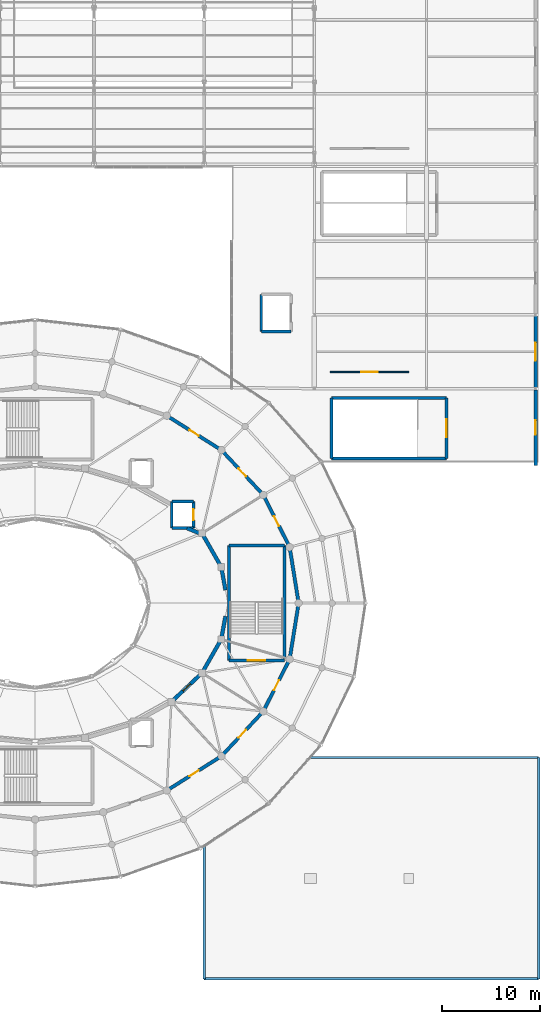
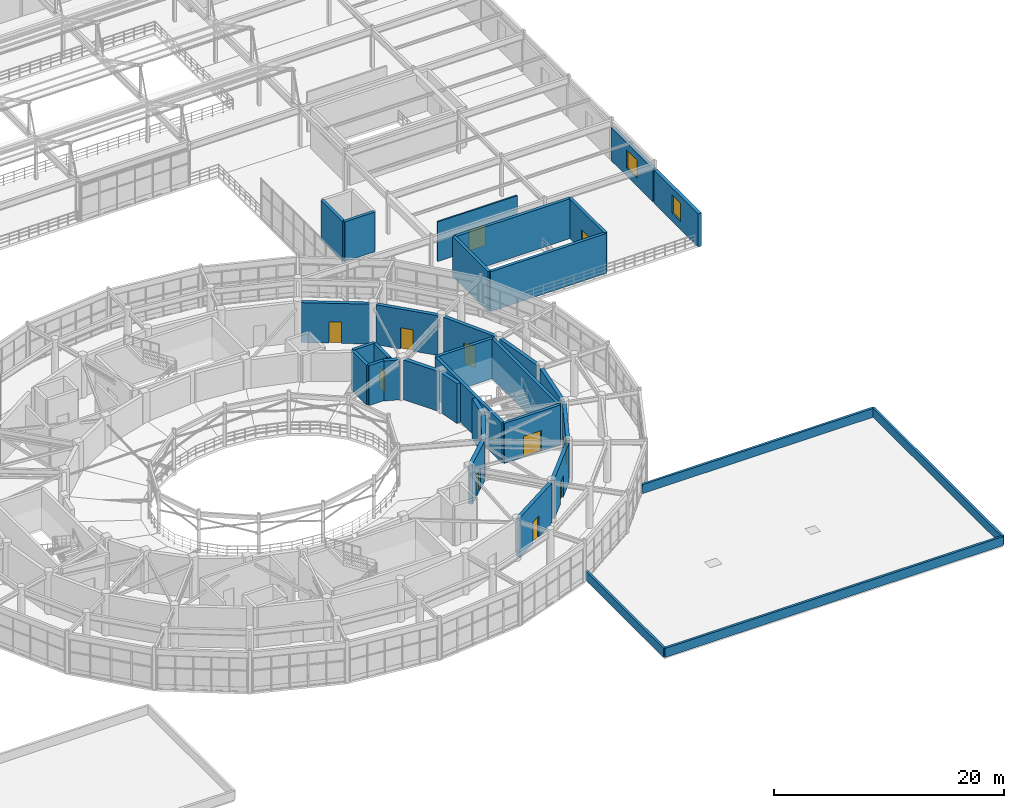
# One storey, part 90 of 112: 35 walls, 11 doors, 2 windows, 13 openings.
"""IFC4 building model written with IfcOpenShell, lengths in metres."""

from ifc_helpers import new_model, si_unit, direction, frame, frame_2d, origin, place, context, subcontext, project, spatial, rectangle, extrude, material, layer, layer_set, type_object, element, fill, save


model = new_model("IFC4")

# Units and contexts
model_context = context("Model", 3, precision=1e-05, world=origin(), true_north=direction((0.0, 1.0)))
body_context = subcontext(model_context, "Body", "Model", "MODEL_VIEW")
ifc_project = project(units=[si_unit("LENGTHUNIT", "METRE"), si_unit("AREAUNIT", "SQUARE_METRE"), si_unit("VOLUMEUNIT", "CUBIC_METRE"), si_unit("PLANEANGLEUNIT", "RADIAN"), si_unit("MASSUNIT", "GRAM", prefix="KILO")], contexts=[model_context])

# Site, building, storey
site_placement = place(None, origin())
site = spatial("IfcSite", under=ifc_project, at=site_placement, CompositionType="ELEMENT")
building_placement = place(site_placement, origin())
building = spatial("IfcBuilding", under=site, at=building_placement, Name="Cinderbank Siding Concert Hall", CompositionType="ELEMENT")
storey_placement = place(building_placement, frame((0.0, 0.0, 10.199951171875)))
storey = spatial("IfcBuildingStorey", under=building, at=storey_placement, Name="L03", CompositionType="ELEMENT", Elevation=10.199951171875)

# Walls
ifc_material_1 = material(Name="Reinforced concrete AS 3600 N50 (50 MPa)", Category="concrete")
ifc_layer_1 = layer(ifc_material_1, 0.3798828125)
ifc_layer_set_1 = layer_set([ifc_layer_1], Name="Reinforced concrete AS 3600 N50 (50 MPa)")
wall_type_1 = type_object("IfcWallType", Name="WL-01 Structural Wall 380mm", PredefinedType="SOLIDWALL", material=ifc_layer_set_1)
wall_1_placement = place(storey_placement, frame((141.358642578125, 45.328125, 0.0), z_axis=(0.0, 0.0, 1.0), x_axis=(-0.178762697271, 0.983892218723, 0.0)))
element("IfcWall", 1, at=wall_1_placement, inside=storey, type_object=wall_type_1, Name="L03 Structural Wall SW-E1-L03-01", PredefinedType="SOLIDWALL", context=body_context, shape_type="SweptSolid", body=[
    extrude(rectangle(XDim=2.1005859375, YDim=0.3798828125, at=frame_2d((1.05029296875, 0.0))), origin(), (0.0, 0.0, 1.0), 4.239990234375),
])
wall_2_placement = place(storey_placement, frame((140.79052734375, 47.922607421875, 0.0), z_axis=(0.0, 0.0, 1.0), x_axis=(-0.496318106012, 0.868140736082, 0.0)))
element("IfcWall", 2, at=wall_2_placement, inside=storey, type_object=wall_type_1, Name="L03 Structural Wall SW-E1-L03-02", PredefinedType="SOLIDWALL", context=body_context, shape_type="SweptSolid", body=[
    extrude(rectangle(XDim=3.375, YDim=0.3798828125, at=frame_2d((1.6875, 0.0))), origin(), (0.0, 0.0, 1.0), 4.239990234375),
])
wall_3_placement = place(storey_placement, frame((138.75, 51.10009765625, 0.0), z_axis=(0.0, 0.0, 1.0), x_axis=(-0.928476690885, 0.371390676354, 0.0)))
element("IfcWall", 3, at=wall_3_placement, inside=storey, type_object=wall_type_1, Name="L03 Structural Wall SW-E1-L03-03", PredefinedType="SOLIDWALL", context=body_context, shape_type="SweptSolid", body=[
    extrude(rectangle(XDim=1.400146484375, YDim=0.3798828125, at=frame_2d((0.7001953125, 0.0))), origin(), (0.0, 0.0, 1.0), 4.239990234375),
])

# Wall, opening, door
wall_4_placement = place(storey_placement, frame((136.06640625, 34.15478515625, 0.0), z_axis=(0.0, 0.0, 1.0), x_axis=(0.727127996206, 0.686501913423, 0.0)))
wall_4 = element("IfcWall", 4, at=wall_4_placement, inside=storey, type_object=wall_type_1, Name="L03 Structural Wall SW-E1-L03-22", PredefinedType="SOLIDWALL", context=body_context, shape_type="SweptSolid", body=[
    extrude(rectangle(XDim=3.7138671875, YDim=0.3798828125, at=frame_2d((1.85693359375, 0.0))), origin(), (0.0, 0.0, 1.0), 4.239990234375),
])
opening_1_placement = place(wall_4_placement, frame((1.326904296875, 0.0, 0.0)))
opening_1 = element("IfcOpeningElement", 5, at=opening_1_placement, cuts=wall_4, Name="Opening D-18", PredefinedType="OPENING", context=body_context, shape_type="SweptSolid", body=[
    extrude(rectangle(XDim=1.06005859375, YDim=2.239990234375, at=frame_2d((0.530029296875, 1.1201171875))), frame((0.0, 0.201904296875, 0.0), z_axis=(0.0, -1.0, 0.0), x_axis=(1.0, 0.0, 0.0)), (0.0, 0.0, 1.0), 0.40380859375),
])
ifc_material_2 = material(Name="Solid-core spotted gum acoustic timber", Category="wood")
door_type_1 = type_object("IfcDoorType", Name="D-18 Interior Door 1060x2240", OperationType="NOTDEFINED", PredefinedType="DOOR", material=ifc_material_2)
door_1_placement = place(opening_1_placement, origin())
door_1 = element("IfcDoor", 6, at=door_1_placement, inside=storey, type_object=door_type_1, Name="L03 Auditorium Sound-Lock Door L03-D142", OperationType="SINGLE_SWING_LEFT", OverallHeight=2.239990234375, OverallWidth=1.06005859375, PredefinedType="DOOR", context=body_context, shape_type="SweptSolid", body=[
    extrude(rectangle(XDim=1.06005859375, YDim=2.239990234375, at=frame_2d((0.530029296875, 1.1201171875))), frame((0.0, 0.02490234375, 0.0), z_axis=(0.0, -1.0, 0.0), x_axis=(1.0, 0.0, 0.0)), (0.0, 0.0, 1.0), 0.050048828125),
])
fill(opening_1, door_1)

# Walls
wall_5_placement = place(storey_placement, frame((139.115478515625, 37.1474609375, 0.0), z_axis=(0.0, 0.0, 1.0), x_axis=(0.496318106012, 0.868140736082, 0.0)))
element("IfcWall", 7, at=wall_5_placement, inside=storey, type_object=wall_type_1, Name="L03 Structural Wall SW-E1-L03-23", PredefinedType="SOLIDWALL", context=body_context, shape_type="SweptSolid", body=[
    extrude(rectangle(XDim=3.375, YDim=0.3798828125, at=frame_2d((1.6875, 0.0))), origin(), (0.0, 0.0, 1.0), 4.239990234375),
])
wall_6_placement = place(storey_placement, frame((140.983154296875, 40.605224609375, 0.0), z_axis=(0.0, 0.0, 1.0), x_axis=(0.178762697271, 0.983892218723, 0.0)))
element("IfcWall", 8, at=wall_6_placement, inside=storey, type_object=wall_type_1, Name="L03 Structural Wall SW-E1-L03-24", PredefinedType="SOLIDWALL", context=body_context, shape_type="SweptSolid", body=[
    extrude(rectangle(XDim=2.1005859375, YDim=0.3798828125, at=frame_2d((1.05029296875, 0.0))), origin(), (0.0, 0.0, 1.0), 4.239990234375),
])
ifc_layer_2 = layer(ifc_material_1, 0.35009765625)
ifc_layer_set_2 = layer_set([ifc_layer_2], Name="Reinforced concrete AS 3600 N50 (50 MPa)")
wall_type_2 = type_object("IfcWallType", Name="WL-02 Structural Wall 350mm", PredefinedType="SHEAR", material=ifc_layer_set_2)
wall_7_placement = place(storey_placement, frame((148.7509765625, 44.30615234375, 0.0), z_axis=(0.0, 0.0, 1.0), x_axis=(-0.158388253677, 0.98737690934, 0.0)))
element("IfcWall", 9, at=wall_7_placement, inside=storey, type_object=wall_type_2, Name="L03 Structural Wall SW-E2-L03-01", PredefinedType="SHEAR", context=body_context, shape_type="SweptSolid", body=[
    extrude(rectangle(XDim=5.146728515625, YDim=0.35009765625, at=frame_2d((2.5732421875, 0.0))), origin(), (0.0, 0.0, 1.0), 4.239990234375),
])

# Wall, opening, door
wall_8_placement = place(storey_placement, frame((147.747314453125, 49.970703125, 0.0), z_axis=(0.0, 0.0, 1.0), x_axis=(-0.450512686904, 0.892770025784, 0.0)))
wall_8 = element("IfcWall", 10, at=wall_8_placement, inside=storey, type_object=wall_type_2, Name="L03 Structural Wall SW-E2-L03-02", PredefinedType="SHEAR", context=body_context, shape_type="SweptSolid", body=[
    extrude(rectangle(XDim=5.3232421875, YDim=0.35009765625, at=frame_2d((2.66162109375, 0.0))), origin(), (0.0, 0.0, 1.0), 4.239990234375),
])
opening_2_placement = place(wall_8_placement, frame((2.1015625, 0.0, 0.0)))
opening_2 = element("IfcOpeningElement", 11, at=opening_2_placement, cuts=wall_8, Name="Opening D-19", PredefinedType="OPENING", context=body_context, shape_type="SweptSolid", body=[
    extrude(rectangle(XDim=1.1201171875, YDim=2.260009765625, at=frame_2d((0.56005859375, 1.1298828125))), frame((0.0, 0.18701171875, 0.0), z_axis=(0.0, -1.0, 0.0), x_axis=(1.0, 0.0, 0.0)), (0.0, 0.0, 1.0), 0.3740234375),
])
door_type_2 = type_object("IfcDoorType", Name="D-19 Interior Door 1120x2260", OperationType="NOTDEFINED", PredefinedType="DOOR", material=ifc_material_2)
door_2_placement = place(opening_2_placement, origin())
door_2 = element("IfcDoor", 12, at=door_2_placement, inside=storey, type_object=door_type_2, Name="L03 Auditorium Sound-Lock Door L03-D143", OperationType="SINGLE_SWING_RIGHT", OverallHeight=2.260009765625, OverallWidth=1.1201171875, PredefinedType="DOOR", context=body_context, shape_type="SweptSolid", body=[
    extrude(rectangle(XDim=1.1201171875, YDim=2.260009765625, at=frame_2d((0.56005859375, 1.1298828125))), frame((0.0, 0.02490234375, 0.0), z_axis=(0.0, -1.0, 0.0), x_axis=(1.0, 0.0, 0.0)), (0.0, 0.0, 1.0), 0.050048828125),
])
fill(opening_2, door_2)

wall_9_placement = place(storey_placement, frame((144.997802734375, 55.2265625, 0.0), z_axis=(0.0, 0.0, 1.0), x_axis=(-0.682886399388, 0.730524582427, 0.0)))
wall_9 = element("IfcWall", 13, at=wall_9_placement, inside=storey, type_object=wall_type_2, Name="L03 Structural Wall SW-E2-L03-03", PredefinedType="SHEAR", context=body_context, shape_type="SweptSolid", body=[
    extrude(rectangle(XDim=5.616943359375, YDim=0.35009765625, at=frame_2d((2.80859375, 0.0))), origin(), (0.0, 0.0, 1.0), 4.239990234375),
])
opening_3_placement = place(wall_9_placement, frame((2.248291015625, 0.0, 0.0)))
opening_3 = element("IfcOpeningElement", 14, at=opening_3_placement, cuts=wall_9, Name="Opening D-19", PredefinedType="OPENING", context=body_context, shape_type="SweptSolid", body=[
    extrude(rectangle(XDim=1.1201171875, YDim=2.260009765625, at=frame_2d((0.56005859375, 1.1298828125))), frame((0.0, 0.18701171875, 0.0), z_axis=(0.0, -1.0, 0.0), x_axis=(1.0, 0.0, 0.0)), (0.0, 0.0, 1.0), 0.3740234375),
])
door_3_placement = place(opening_3_placement, origin())
door_3 = element("IfcDoor", 15, at=door_3_placement, inside=storey, type_object=door_type_2, Name="L03 Auditorium Sound-Lock Door L03-D144", OperationType="SINGLE_SWING_LEFT", OverallHeight=2.260009765625, OverallWidth=1.1201171875, PredefinedType="DOOR", context=body_context, shape_type="SweptSolid", body=[
    extrude(rectangle(XDim=1.1201171875, YDim=2.260009765625, at=frame_2d((0.56005859375, 1.1298828125))), frame((0.0, 0.02490234375, 0.0), z_axis=(0.0, -1.0, 0.0), x_axis=(1.0, 0.0, 0.0)), (0.0, 0.0, 1.0), 0.050048828125),
])
fill(opening_3, door_3)

wall_10_placement = place(storey_placement, frame((140.688232421875, 59.721435546875, 0.0), z_axis=(0.0, 0.0, 1.0), x_axis=(-0.846113390603, 0.53300293643, 0.0)))
wall_10 = element("IfcWall", 16, at=wall_10_placement, inside=storey, type_object=wall_type_2, Name="L03 Structural Wall SW-E2-L03-04", PredefinedType="SHEAR", context=body_context, shape_type="SweptSolid", body=[
    extrude(rectangle(XDim=5.93994140625, YDim=0.35009765625, at=frame_2d((2.969970703125, 0.0))), origin(), (0.0, 0.0, 1.0), 4.239990234375),
])
opening_4_placement = place(wall_10_placement, frame((2.409912109375, 0.0, 0.0)))
opening_4 = element("IfcOpeningElement", 17, at=opening_4_placement, cuts=wall_10, Name="Opening D-19", PredefinedType="OPENING", context=body_context, shape_type="SweptSolid", body=[
    extrude(rectangle(XDim=1.1201171875, YDim=2.260009765625, at=frame_2d((0.56005859375, 1.1298828125))), frame((0.0, 0.18701171875, 0.0), z_axis=(0.0, -1.0, 0.0), x_axis=(1.0, 0.0, 0.0)), (0.0, 0.0, 1.0), 0.3740234375),
])
door_4_placement = place(opening_4_placement, origin())
door_4 = element("IfcDoor", 18, at=door_4_placement, inside=storey, type_object=door_type_2, Name="L03 Auditorium Sound-Lock Door L03-D145", OperationType="SINGLE_SWING_RIGHT", OverallHeight=2.260009765625, OverallWidth=1.1201171875, PredefinedType="DOOR", context=body_context, shape_type="SweptSolid", body=[
    extrude(rectangle(XDim=1.1201171875, YDim=2.260009765625, at=frame_2d((0.56005859375, 1.1298828125))), frame((0.0, 0.02490234375, 0.0), z_axis=(0.0, -1.0, 0.0), x_axis=(1.0, 0.0, 0.0)), (0.0, 0.0, 1.0), 0.050048828125),
])
fill(opening_4, door_4)

wall_11_placement = place(storey_placement, frame((135.662353515625, 25.112548828125, 0.0), z_axis=(0.0, 0.0, 1.0), x_axis=(0.846113390603, 0.53300293643, 0.0)))
wall_11 = element("IfcWall", 19, at=wall_11_placement, inside=storey, type_object=wall_type_2, Name="L03 Structural Wall SW-E2-L03-21", PredefinedType="SHEAR", context=body_context, shape_type="SweptSolid", body=[
    extrude(rectangle(XDim=5.93994140625, YDim=0.35009765625, at=frame_2d((2.969970703125, 0.0))), origin(), (0.0, 0.0, 1.0), 4.239990234375),
])
opening_5_placement = place(wall_11_placement, frame((2.409912109375, 0.0, 0.0)))
opening_5 = element("IfcOpeningElement", 20, at=opening_5_placement, cuts=wall_11, Name="Opening D-19", PredefinedType="OPENING", context=body_context, shape_type="SweptSolid", body=[
    extrude(rectangle(XDim=1.1201171875, YDim=2.260009765625, at=frame_2d((0.56005859375, 1.1298828125))), frame((0.0, 0.18701171875, 0.0), z_axis=(0.0, -1.0, 0.0), x_axis=(1.0, 0.0, 0.0)), (0.0, 0.0, 1.0), 0.3740234375),
])
door_5_placement = place(opening_5_placement, origin())
door_5 = element("IfcDoor", 21, at=door_5_placement, inside=storey, type_object=door_type_2, Name="L03 Auditorium Sound-Lock Door L03-D150", OperationType="SINGLE_SWING_LEFT", OverallHeight=2.260009765625, OverallWidth=1.1201171875, PredefinedType="DOOR", context=body_context, shape_type="SweptSolid", body=[
    extrude(rectangle(XDim=1.1201171875, YDim=2.260009765625, at=frame_2d((0.56005859375, 1.1298828125))), frame((0.0, 0.02490234375, 0.0), z_axis=(0.0, -1.0, 0.0), x_axis=(1.0, 0.0, 0.0)), (0.0, 0.0, 1.0), 0.050048828125),
])
fill(opening_5, door_5)

wall_12_placement = place(storey_placement, frame((141.162109375, 28.670166015625, 0.0), z_axis=(0.0, 0.0, 1.0), x_axis=(0.682886399388, 0.730524582427, 0.0)))
wall_12 = element("IfcWall", 22, at=wall_12_placement, inside=storey, type_object=wall_type_2, Name="L03 Structural Wall SW-E2-L03-22", PredefinedType="SHEAR", context=body_context, shape_type="SweptSolid", body=[
    extrude(rectangle(XDim=5.616943359375, YDim=0.35009765625, at=frame_2d((2.80859375, 0.0))), origin(), (0.0, 0.0, 1.0), 4.239990234375),
])
opening_6_placement = place(wall_12_placement, frame((2.248291015625, 0.0, 0.0)))
opening_6 = element("IfcOpeningElement", 23, at=opening_6_placement, cuts=wall_12, Name="Opening D-19", PredefinedType="OPENING", context=body_context, shape_type="SweptSolid", body=[
    extrude(rectangle(XDim=1.1201171875, YDim=2.260009765625, at=frame_2d((0.56005859375, 1.1298828125))), frame((0.0, 0.18701171875, 0.0), z_axis=(0.0, -1.0, 0.0), x_axis=(1.0, 0.0, 0.0)), (0.0, 0.0, 1.0), 0.3740234375),
])
door_6_placement = place(opening_6_placement, origin())
door_6 = element("IfcDoor", 24, at=door_6_placement, inside=storey, type_object=door_type_2, Name="L03 Auditorium Sound-Lock Door L03-D151", OperationType="SINGLE_SWING_RIGHT", OverallHeight=2.260009765625, OverallWidth=1.1201171875, PredefinedType="DOOR", context=body_context, shape_type="SweptSolid", body=[
    extrude(rectangle(XDim=1.1201171875, YDim=2.260009765625, at=frame_2d((0.56005859375, 1.1298828125))), frame((0.0, 0.02490234375, 0.0), z_axis=(0.0, -1.0, 0.0), x_axis=(1.0, 0.0, 0.0)), (0.0, 0.0, 1.0), 0.050048828125),
])
fill(opening_6, door_6)

wall_13_placement = place(storey_placement, frame((145.34912109375, 33.27685546875, 0.0), z_axis=(0.0, 0.0, 1.0), x_axis=(0.450512686904, 0.892770025784, 0.0)))
wall_13 = element("IfcWall", 25, at=wall_13_placement, inside=storey, type_object=wall_type_2, Name="L03 Structural Wall SW-E2-L03-23", PredefinedType="SHEAR", context=body_context, shape_type="SweptSolid", body=[
    extrude(rectangle(XDim=5.3232421875, YDim=0.35009765625, at=frame_2d((2.66162109375, 0.0))), origin(), (0.0, 0.0, 1.0), 4.239990234375),
])
opening_7_placement = place(wall_13_placement, frame((2.1015625, 0.0, 0.0)))
opening_7 = element("IfcOpeningElement", 26, at=opening_7_placement, cuts=wall_13, Name="Opening D-19", PredefinedType="OPENING", context=body_context, shape_type="SweptSolid", body=[
    extrude(rectangle(XDim=1.1201171875, YDim=2.260009765625, at=frame_2d((0.56005859375, 1.1298828125))), frame((0.0, 0.18701171875, 0.0), z_axis=(0.0, -1.0, 0.0), x_axis=(1.0, 0.0, 0.0)), (0.0, 0.0, 1.0), 0.3740234375),
])
door_7_placement = place(opening_7_placement, origin())
door_7 = element("IfcDoor", 27, at=door_7_placement, inside=storey, type_object=door_type_2, Name="L03 Auditorium Sound-Lock Door L03-D152", OperationType="SINGLE_SWING_LEFT", OverallHeight=2.260009765625, OverallWidth=1.1201171875, PredefinedType="DOOR", context=body_context, shape_type="SweptSolid", body=[
    extrude(rectangle(XDim=1.1201171875, YDim=2.260009765625, at=frame_2d((0.56005859375, 1.1298828125))), frame((0.0, 0.02490234375, 0.0), z_axis=(0.0, -1.0, 0.0), x_axis=(1.0, 0.0, 0.0)), (0.0, 0.0, 1.0), 0.050048828125),
])
fill(opening_7, door_7)

# Wall
wall_14_placement = place(storey_placement, frame((147.935791015625, 38.612060546875, 0.0), z_axis=(0.0, 0.0, 1.0), x_axis=(0.158388253677, 0.98737690934, 0.0)))
element("IfcWall", 28, at=wall_14_placement, inside=storey, type_object=wall_type_2, Name="L03 Structural Wall SW-E2-L03-24", PredefinedType="SHEAR", context=body_context, shape_type="SweptSolid", body=[
    extrude(rectangle(XDim=5.146728515625, YDim=0.35009765625, at=frame_2d((2.5732421875, 0.0))), origin(), (0.0, 0.0, 1.0), 4.239990234375),
])

# Wall, opening, door
ifc_layer_3 = layer(ifc_material_1, 0.300048828125)
ifc_layer_set_3 = layer_set([ifc_layer_3], Name="Reinforced concrete AS 3600 N50 (50 MPa)")
wall_type_3 = type_object("IfcWallType", Name="WL-03 Structural Wall 300mm", PredefinedType="SHEAR", material=ifc_layer_set_3)
wall_15_placement = place(storey_placement, frame((147.340087890625, 38.159912109375, 0.0), z_axis=(0.0, 0.0, 1.0), x_axis=(-1.0, 0.0, 0.0)))
wall_15 = element("IfcWall", 29, at=wall_15_placement, inside=storey, type_object=wall_type_3, Name="L03 ST-03 Core Wall ENTRY", PredefinedType="SHEAR", context=body_context, shape_type="SweptSolid", body=[
    extrude(rectangle(XDim=5.64013671875, YDim=0.300048828125, at=frame_2d((2.820068359375, 0.0))), origin(), (0.0, 0.0, 1.0), 4.25),
])
opening_8_placement = place(wall_15_placement, frame((1.919921875, 0.0, 0.0)))
opening_8 = element("IfcOpeningElement", 30, at=opening_8_placement, cuts=wall_15, Name="Opening D-05", PredefinedType="OPENING", context=body_context, shape_type="SweptSolid", body=[
    extrude(rectangle(XDim=1.800048828125, YDim=2.199951171875, at=frame_2d((0.89990234375, 1.10009765625))), frame((0.0, 0.162109375, 0.0), z_axis=(0.0, -1.0, 0.0), x_axis=(1.0, 0.0, 0.0)), (0.0, 0.0, 1.0), 0.323974609375),
])
ifc_material_3 = material(Name="Galvanised sheet steel acoustic fire door assembly", Category="steel")
door_type_3 = type_object("IfcDoorType", Name="D-05 Interior Door 1800x2200", OperationType="DOUBLE_DOOR_SINGLE_SWING", PredefinedType="DOOR", material=ifc_material_3)
door_8_placement = place(opening_8_placement, origin())
door_8 = element("IfcDoor", 31, at=door_8_placement, inside=storey, type_object=door_type_3, Name="L03 ST-03 Fire Stair Door L03-D018", OperationType="DOUBLE_DOOR_SINGLE_SWING", OverallHeight=2.199951171875, OverallWidth=1.800048828125, PredefinedType="DOOR", context=body_context, shape_type="SweptSolid", body=[
    extrude(rectangle(XDim=1.800048828125, YDim=2.199951171875, at=frame_2d((0.89990234375, 1.10009765625))), frame((0.0, 0.02490234375, 0.0), z_axis=(0.0, -1.0, 0.0), x_axis=(1.0, 0.0, 0.0)), (0.0, 0.0, 1.0), 0.050048828125),
])
fill(opening_8, door_8)

# Walls
wall_16_placement = place(storey_placement, frame((141.699951171875, 49.840087890625, 0.0), z_axis=(0.0, 0.0, 1.0), x_axis=(1.0, 0.0, 0.0)))
element("IfcWall", 32, at=wall_16_placement, inside=storey, type_object=wall_type_3, Name="L03 ST-03 Core Wall FAR", PredefinedType="SHEAR", context=body_context, shape_type="SweptSolid", body=[
    extrude(rectangle(XDim=5.64013671875, YDim=0.300048828125, at=frame_2d((2.820068359375, 0.0))), origin(), (0.0, 0.0, 1.0), 4.25),
])
wall_17_placement = place(storey_placement, frame((147.340087890625, 49.840087890625, 0.0), z_axis=(0.0, 0.0, 1.0), x_axis=(0.0, -1.0, 0.0)))
element("IfcWall", 33, at=wall_17_placement, inside=storey, type_object=wall_type_3, Name="L03 ST-03 Core Wall SIDE1", PredefinedType="SHEAR", context=body_context, shape_type="SweptSolid", body=[
    extrude(rectangle(XDim=11.68017578125, YDim=0.300048828125, at=frame_2d((5.840087890625, 0.0))), origin(), (0.0, 0.0, 1.0), 4.25),
])
wall_18_placement = place(storey_placement, frame((141.699951171875, 38.159912109375, 0.0), z_axis=(0.0, 0.0, 1.0), x_axis=(0.0, 1.0, 0.0)))
element("IfcWall", 34, at=wall_18_placement, inside=storey, type_object=wall_type_3, Name="L03 ST-03 Core Wall SIDE2", PredefinedType="SHEAR", context=body_context, shape_type="SweptSolid", body=[
    extrude(rectangle(XDim=11.68017578125, YDim=0.300048828125, at=frame_2d((5.840087890625, 0.0))), origin(), (0.0, 0.0, 1.0), 4.239990234375),
])

# Wall, opening, door
wall_19_placement = place(storey_placement, frame((163.840087890625, 64.85009765625, 0.0), z_axis=(0.0, 0.0, 1.0), x_axis=(0.0, -1.0, 0.0)))
wall_19 = element("IfcWall", 35, at=wall_19_placement, inside=storey, type_object=wall_type_3, Name="L03 ST-12 Core Wall ENTRY", PredefinedType="SHEAR", context=body_context, shape_type="SweptSolid", body=[
    extrude(rectangle(XDim=6.14013671875, YDim=0.300048828125, at=frame_2d((3.070068359375, 0.0))), origin(), (0.0, 0.0, 1.0), 4.22998046875),
])
opening_9_placement = place(wall_19_placement, frame((2.169921875, 0.0, 0.0)))
opening_9 = element("IfcOpeningElement", 36, at=opening_9_placement, cuts=wall_19, Name="Opening D-05", PredefinedType="OPENING", context=body_context, shape_type="SweptSolid", body=[
    extrude(rectangle(XDim=1.800048828125, YDim=2.199951171875, at=frame_2d((0.89990234375, 1.10009765625))), frame((0.0, 0.162109375, 0.0), z_axis=(0.0, -1.0, 0.0), x_axis=(1.0, 0.0, 0.0)), (0.0, 0.0, 1.0), 0.323974609375),
])
door_9_placement = place(opening_9_placement, origin())
door_9 = element("IfcDoor", 37, at=door_9_placement, inside=storey, type_object=door_type_3, Name="L03 ST-12 Fire Stair Door L03-D061", OperationType="DOUBLE_DOOR_SINGLE_SWING", OverallHeight=2.199951171875, OverallWidth=1.800048828125, PredefinedType="DOOR", context=body_context, shape_type="SweptSolid", body=[
    extrude(rectangle(XDim=1.800048828125, YDim=2.199951171875, at=frame_2d((0.89990234375, 1.10009765625))), frame((0.0, 0.02490234375, 0.0), z_axis=(0.0, -1.0, 0.0), x_axis=(1.0, 0.0, 0.0)), (0.0, 0.0, 1.0), 0.050048828125),
])
fill(opening_9, door_9)

# Walls
wall_20_placement = place(storey_placement, frame((152.159912109375, 58.7099609375, 0.0), z_axis=(0.0, 0.0, 1.0), x_axis=(0.0, 1.0, 0.0)))
element("IfcWall", 38, at=wall_20_placement, inside=storey, type_object=wall_type_3, Name="L03 ST-12 Core Wall FAR", PredefinedType="SHEAR", context=body_context, shape_type="SweptSolid", body=[
    extrude(rectangle(XDim=6.14013671875, YDim=0.300048828125, at=frame_2d((3.070068359375, 0.0))), origin(), (0.0, 0.0, 1.0), 4.22998046875),
])
for number, where, z_axis, x_axis, name in (
    (39, (152.159912109375, 64.85009765625, 0.0), (0.0, 0.0, 1.0), (1.0, 0.0, 0.0), "L03 ST-12 Core Wall SIDE1"),
    (40, (163.840087890625, 58.7099609375, 0.0), (0.0, 0.0, 1.0), (-1.0, 0.0, 0.0), "L03 ST-12 Core Wall SIDE2"),
):
    element("IfcWall", number, at=place(storey_placement, frame(where, z_axis=z_axis, x_axis=x_axis)), inside=storey, type_object=wall_type_3, Name=name, PredefinedType="SHEAR", context=body_context, shape_type="SweptSolid", body=[
        extrude(rectangle(XDim=11.68017578125, YDim=0.300048828125, at=frame_2d((5.840087890625, 0.0))), origin(), (0.0, 0.0, 1.0), 4.22998046875),
    ])
wall_21_placement = place(storey_placement, frame((138.10009765625, 51.64990234375, 0.0), z_axis=(0.0, 0.0, 1.0), x_axis=(-1.0, 0.0, 0.0)))
element("IfcWall", 41, at=wall_21_placement, inside=storey, type_object=wall_type_3, Name="L03 LF-03 Shaft Wall -Y", PredefinedType="SHEAR", context=body_context, shape_type="SweptSolid", body=[
    extrude(rectangle(XDim=2.2001953125, YDim=0.300048828125, at=frame_2d((1.10009765625, 0.0))), origin(), (0.0, 0.0, 1.0), 4.239990234375),
])

# Wall, opening, door
wall_22_placement = place(storey_placement, frame((138.10009765625, 54.35009765625, 0.0), z_axis=(0.0, 0.0, 1.0), x_axis=(0.0, -1.0, 0.0)))
wall_22 = element("IfcWall", 42, at=wall_22_placement, inside=storey, type_object=wall_type_3, Name="L03 LF-03 Shaft Wall +X", PredefinedType="SHEAR", context=body_context, shape_type="SweptSolid", body=[
    extrude(rectangle(XDim=2.7001953125, YDim=0.300048828125, at=frame_2d((1.35009765625, 0.0))), origin(), (0.0, 0.0, 1.0), 4.239990234375),
])
opening_10_placement = place(wall_22_placement, frame((0.800048828125, 0.0, 0.0)))
opening_10 = element("IfcOpeningElement", 43, at=opening_10_placement, cuts=wall_22, Name="Opening LD-01", PredefinedType="OPENING", context=body_context, shape_type="SweptSolid", body=[
    extrude(rectangle(XDim=1.10009765625, YDim=2.14990234375, at=frame_2d((0.550048828125, 1.074951171875))), frame((0.0, 0.162109375, 0.0), z_axis=(0.0, -1.0, 0.0), x_axis=(1.0, 0.0, 0.0)), (0.0, 0.0, 1.0), 0.323974609375),
])
door_type_4 = type_object("IfcDoorType", Name="LD-01 Interior Door 1100x2150", OperationType="DOUBLE_DOOR_SLIDING", PredefinedType="DOOR", material=ifc_material_3)
door_10_placement = place(opening_10_placement, origin())
door_10 = element("IfcDoor", 44, at=door_10_placement, inside=storey, type_object=door_type_4, Name="L03 LF-03 Sliding Landing Door", OperationType="DOUBLE_DOOR_SLIDING", OverallHeight=2.14990234375, OverallWidth=1.10009765625, PredefinedType="DOOR", context=body_context, shape_type="SweptSolid", body=[
    extrude(rectangle(XDim=1.10009765625, YDim=2.14990234375, at=frame_2d((0.550048828125, 1.074951171875))), frame((0.0, 0.02490234375, 0.0), z_axis=(0.0, -1.0, 0.0), x_axis=(1.0, 0.0, 0.0)), (0.0, 0.0, 1.0), 0.050048828125),
])
fill(opening_10, door_10)

# Walls
wall_23_placement = place(storey_placement, frame((135.89990234375, 54.35009765625, 0.0), z_axis=(0.0, 0.0, 1.0), x_axis=(1.0, 0.0, 0.0)))
element("IfcWall", 45, at=wall_23_placement, inside=storey, type_object=wall_type_3, Name="L03 LF-03 Shaft Wall +Y", PredefinedType="SHEAR", context=body_context, shape_type="SweptSolid", body=[
    extrude(rectangle(XDim=2.2001953125, YDim=0.300048828125, at=frame_2d((1.10009765625, 0.0))), origin(), (0.0, 0.0, 1.0), 4.25),
])
wall_24_placement = place(storey_placement, frame((135.89990234375, 51.64990234375, 0.0), z_axis=(0.0, 0.0, 1.0), x_axis=(0.0, 1.0, 0.0)))
element("IfcWall", 46, at=wall_24_placement, inside=storey, type_object=wall_type_3, Name="L03 LF-03 Shaft Wall -X", PredefinedType="SHEAR", context=body_context, shape_type="SweptSolid", body=[
    extrude(rectangle(XDim=2.7001953125, YDim=0.300048828125, at=frame_2d((1.35009765625, 0.0))), origin(), (0.0, 0.0, 1.0), 4.239990234375),
])
wall_25_placement = place(storey_placement, frame((148.0, 71.60009765625, 0.0), z_axis=(0.0, 0.0, 1.0), x_axis=(-1.0, 0.0, 0.0)))
element("IfcWall", 47, at=wall_25_placement, inside=storey, type_object=wall_type_3, Name="L03 LF-08 Shaft Wall -Y", PredefinedType="SHEAR", context=body_context, shape_type="SweptSolid", body=[
    extrude(rectangle(XDim=3.0, YDim=0.300048828125, at=frame_2d((1.5, 0.0))), origin(), (0.0, 0.0, 1.0), 4.22998046875),
])
wall_26_placement = place(storey_placement, frame((145.0, 71.60009765625, 0.0), z_axis=(0.0, 0.0, 1.0), x_axis=(0.0, 1.0, 0.0)))
element("IfcWall", 48, at=wall_26_placement, inside=storey, type_object=wall_type_3, Name="L03 LF-08 Shaft Wall -X", PredefinedType="SHEAR", context=body_context, shape_type="SweptSolid", body=[
    extrude(rectangle(XDim=3.7998046875, YDim=0.300048828125, at=frame_2d((1.89990234375, 0.0))), origin(), (0.0, 0.0, 1.0), 4.22998046875),
])

# Wall, opening, window
ifc_material_4 = material(Name="Clinker clay brickwork masonry AS 3700 (20 MPa)", Category="masonry")
ifc_layer_4 = layer(ifc_material_4, 0.340087890625)
ifc_layer_set_4 = layer_set([ifc_layer_4], Name="Clinker clay brickwork masonry AS 3700 (20 MPa)")
wall_type_4 = type_object("IfcWallType", Name="WL-07 Exterior Wall 340mm", PredefinedType="STANDARD", material=ifc_layer_set_4)
wall_27_placement = place(storey_placement, frame((172.89990234375, 65.68798828125, 0.0), z_axis=(0.0, 0.0, 1.0), x_axis=(0.0, -1.0, 0.0)))
wall_27 = element("IfcWall", 49, at=wall_27_placement, inside=storey, type_object=wall_type_4, Name="L03 Facade Wall EW-EL-E0-L03", PredefinedType="STANDARD", context=body_context, shape_type="SweptSolid", body=[
    extrude(rectangle(XDim=7.68798828125, YDim=0.340087890625, at=frame_2d((3.843994140625, 0.0))), origin(), (0.0, 0.0, 1.0), 3.51708984375),
])
opening_11_placement = place(wall_27_placement, frame((3.118896484375, 0.0, 0.85009765625)))
opening_11 = element("IfcOpeningElement", 50, at=opening_11_placement, cuts=wall_27, Name="Opening WN-14", PredefinedType="OPENING", context=body_context, shape_type="SweptSolid", body=[
    extrude(rectangle(XDim=1.449951171875, YDim=1.949951171875, at=frame_2d((0.72509765625, 0.97509765625))), frame((0.0, 0.18212890625, 0.0), z_axis=(0.0, -1.0, 0.0), x_axis=(1.0, 0.0, 0.0)), (0.0, 0.0, 1.0), 0.364013671875),
])
ifc_material_5 = material(Name="Double-glazed laminated acoustic glass", Category="glass")
window_type_1 = type_object("IfcWindowType", Name="WN-14 Acoustic Casement Window 1450x1950", PartitioningType="DOUBLE_PANEL_VERTICAL", PredefinedType="WINDOW", material=ifc_material_5)
window_1_placement = place(opening_11_placement, origin())
window_1 = element("IfcWindow", 51, at=window_1_placement, inside=storey, type_object=window_type_1, Name="L03 Facade Window #182", OverallHeight=1.949951171875, OverallWidth=1.449951171875, PartitioningType="DOUBLE_PANEL_VERTICAL", PredefinedType="WINDOW", context=body_context, shape_type="SweptSolid", body=[
    extrude(rectangle(XDim=1.449951171875, YDim=1.949951171875, at=frame_2d((0.72509765625, 0.97509765625))), frame((0.0, 0.030029296875, 0.0), z_axis=(0.0, -1.0, 0.0), x_axis=(1.0, 0.0, 0.0)), (0.0, 0.0, 1.0), 0.06005859375),
])
fill(opening_11, window_1)

wall_28_placement = place(storey_placement, frame((172.89990234375, 73.18798828125, 0.0), z_axis=(0.0, 0.0, 1.0), x_axis=(0.0, -1.0, 0.0)))
wall_28 = element("IfcWall", 52, at=wall_28_placement, inside=storey, type_object=wall_type_4, Name="L03 Facade Wall EW-EL-E1-L03", PredefinedType="STANDARD", context=body_context, shape_type="SweptSolid", body=[
    extrude(rectangle(XDim=7.27587890625, YDim=0.340087890625, at=frame_2d((3.637939453125, 0.0))), origin(), (0.0, 0.0, 1.0), 3.51708984375),
])
opening_12_placement = place(wall_28_placement, frame((2.712890625, 0.0, 0.85009765625)))
opening_12 = element("IfcOpeningElement", 53, at=opening_12_placement, cuts=wall_28, Name="Opening WN-16", PredefinedType="OPENING", context=body_context, shape_type="SweptSolid", body=[
    extrude(rectangle(XDim=1.85009765625, YDim=1.949951171875, at=frame_2d((0.925048828125, 0.97509765625))), frame((0.0, 0.18212890625, 0.0), z_axis=(0.0, -1.0, 0.0), x_axis=(1.0, 0.0, 0.0)), (0.0, 0.0, 1.0), 0.364013671875),
])
window_type_2 = type_object("IfcWindowType", Name="WN-16 Acoustic Casement Window 1850x1950", PartitioningType="DOUBLE_PANEL_VERTICAL", PredefinedType="WINDOW", material=ifc_material_5)
window_2_placement = place(opening_12_placement, origin())
window_2 = element("IfcWindow", 54, at=window_2_placement, inside=storey, type_object=window_type_2, Name="L03 Facade Window #184", OverallHeight=1.949951171875, OverallWidth=1.85009765625, PartitioningType="DOUBLE_PANEL_VERTICAL", PredefinedType="WINDOW", context=body_context, shape_type="SweptSolid", body=[
    extrude(rectangle(XDim=1.85009765625, YDim=1.949951171875, at=frame_2d((0.925048828125, 0.97509765625))), frame((0.0, 0.030029296875, 0.0), z_axis=(0.0, -1.0, 0.0), x_axis=(1.0, 0.0, 0.0)), (0.0, 0.0, 1.0), 0.06005859375),
])
fill(opening_12, window_2)

# Walls
ifc_layer_5 = layer(ifc_material_4, 0.22998046875)
ifc_layer_set_5 = layer_set([ifc_layer_5], Name="Clinker clay brickwork masonry AS 3700 (20 MPa)")
wall_type_5 = type_object("IfcWallType", Name="WL-10 Exterior Wall 230mm", PredefinedType="PARAPET", material=ifc_layer_set_5)
wall_29_placement = place(storey_placement, frame((173.199951171875, 28.300048828125, -0.119873046875), z_axis=(0.0, 0.0, 1.0), x_axis=(0.0, -1.0, 0.0)))
element("IfcWall", 55, at=wall_29_placement, inside=storey, type_object=wall_type_5, Name="Roof Parapet ROOF-L03-SE-0", PredefinedType="PARAPET", context=body_context, shape_type="SweptSolid", body=[
    extrude(rectangle(XDim=22.5, YDim=0.22998046875, at=frame_2d((11.25, 0.0))), origin(), (0.0, 0.0, 1.0), 0.949951171875),
])
wall_30_placement = place(storey_placement, frame((173.199951171875, 5.800048828125, -0.119873046875), z_axis=(0.0, 0.0, 1.0), x_axis=(-1.0, 0.0, 0.0)))
element("IfcWall", 56, at=wall_30_placement, inside=storey, type_object=wall_type_5, Name="Roof Parapet ROOF-L03-SE-1", PredefinedType="PARAPET", context=body_context, shape_type="SweptSolid", body=[
    extrude(rectangle(XDim=34.0, YDim=0.22998046875, at=frame_2d((17.0, 0.0))), origin(), (0.0, 0.0, 1.0), 0.949951171875),
])
wall_31_placement = place(storey_placement, frame((139.199951171875, 5.800048828125, -0.119873046875), z_axis=(0.0, 0.0, 1.0), x_axis=(0.0, 1.0, 0.0)))
element("IfcWall", 57, at=wall_31_placement, inside=storey, type_object=wall_type_5, Name="Roof Parapet ROOF-L03-SE-2", PredefinedType="PARAPET", context=body_context, shape_type="SweptSolid", body=[
    extrude(rectangle(XDim=13.521484375, YDim=0.22998046875, at=frame_2d((6.7607421875, 0.0))), origin(), (0.0, 0.0, 1.0), 0.949951171875),
])
wall_32_placement = place(storey_placement, frame((149.934814453125, 28.300048828125, -0.119873046875), z_axis=(0.0, 0.0, 1.0), x_axis=(1.0, 0.0, 0.0)))
element("IfcWall", 58, at=wall_32_placement, inside=storey, type_object=wall_type_5, Name="Roof Parapet ROOF-L03-SE-5", PredefinedType="PARAPET", context=body_context, shape_type="SweptSolid", body=[
    extrude(rectangle(XDim=23.26513671875, YDim=0.22998046875, at=frame_2d((11.632568359375, 0.0))), origin(), (0.0, 0.0, 1.0), 0.949951171875),
])

# Wall, opening, door
ifc_material_6 = material(Name="Acoustic plasterboard on light-gauge steel studs", Category="gypsum")
ifc_layer_6 = layer(ifc_material_6, 0.14990234375)
ifc_layer_set_6 = layer_set([ifc_layer_6], Name="Acoustic plasterboard on light-gauge steel studs")
wall_type_6 = type_object("IfcWallType", Name="WL-15 Interior Wall 150mm", PredefinedType="PARTITIONING", material=ifc_layer_set_6)
wall_33_placement = place(storey_placement, frame((152.0, 67.5, 0.0), z_axis=(0.0, 0.0, 1.0), x_axis=(1.0, 0.0, 0.0)))
wall_33 = element("IfcWall", 59, at=wall_33_placement, inside=storey, type_object=wall_type_6, Name="L03 Partition Visiting Orchestra Green Room", PredefinedType="PARTITIONING", context=body_context, shape_type="SweptSolid", body=[
    extrude(rectangle(XDim=8.0, YDim=0.14990234375, at=frame_2d((4.0, 0.0))), origin(), (0.0, 0.0, 1.0), 4.215087890625),
])
opening_13_placement = place(wall_33_placement, frame((3.14990234375, 0.0, 0.0)))
opening_13 = element("IfcOpeningElement", 60, at=opening_13_placement, cuts=wall_33, Name="Opening D-08", PredefinedType="OPENING", context=body_context, shape_type="SweptSolid", body=[
    extrude(rectangle(XDim=1.699951171875, YDim=2.199951171875, at=frame_2d((0.85009765625, 1.10009765625))), frame((0.0, 0.0869140625, 0.0), z_axis=(0.0, -1.0, 0.0), x_axis=(1.0, 0.0, 0.0)), (0.0, 0.0, 1.0), 0.173828125),
])
door_type_5 = type_object("IfcDoorType", Name="D-08 Interior Door 1700x2200", OperationType="DOUBLE_DOOR_SINGLE_SWING", PredefinedType="DOOR", material=ifc_material_2)
door_11_placement = place(opening_13_placement, origin())
door_11 = element("IfcDoor", 61, at=door_11_placement, inside=storey, type_object=door_type_5, Name="L03 Visiting Orchestra Green Room Door L03-D274", OperationType="DOUBLE_DOOR_SINGLE_SWING", OverallHeight=2.199951171875, OverallWidth=1.699951171875, PredefinedType="DOOR", context=body_context, shape_type="SweptSolid", body=[
    extrude(rectangle(XDim=1.699951171875, YDim=2.199951171875, at=frame_2d((0.85009765625, 1.10009765625))), frame((0.0, 0.02490234375, 0.0), z_axis=(0.0, -1.0, 0.0), x_axis=(1.0, 0.0, 0.0)), (0.0, 0.0, 1.0), 0.050048828125),
])
fill(opening_13, door_11)

save(model, "model.ifc")
